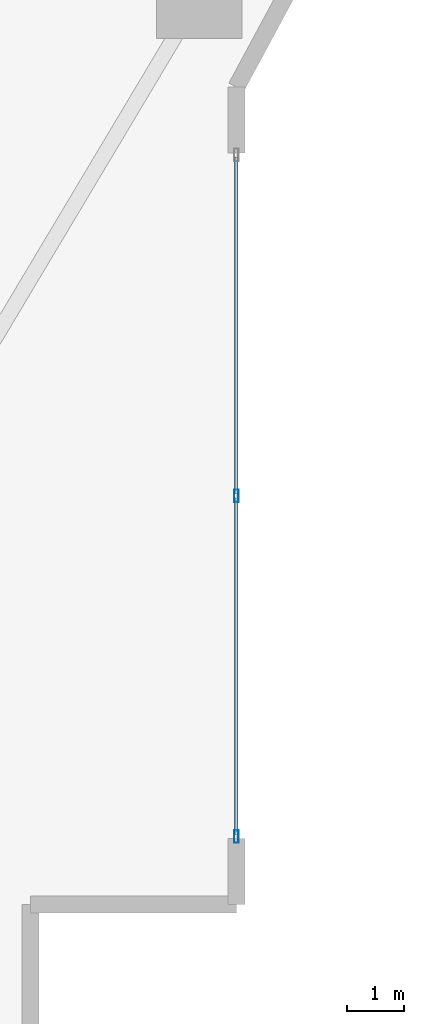
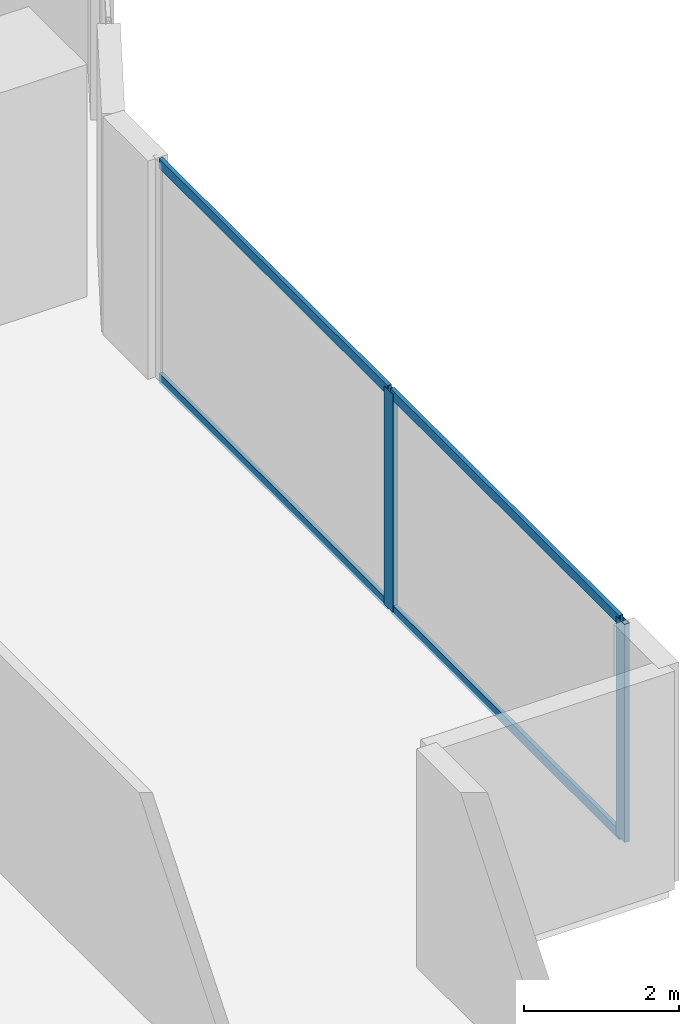
# One storey, part 10 of 28: 6 members, 1 element without a shape of its own.
"""IFC4 building model written with IfcOpenShell, lengths in metres."""

from ifc_helpers import new_model, si_unit, direction, frame, origin, origin_2d, place, context, subcontext, project, spatial, hollow_rectangle, extrude, material, layer, layer_set, material_profile, profile_set, type_object, element, aggregate, save


model = new_model("IFC4")

# Units and contexts
model_context = context("Model", 3, precision=1e-05, world=origin(), true_north=direction((0.0, 1.0)))
body_context = subcontext(model_context, "Body", "Model", "MODEL_VIEW")
ifc_project = project(units=[si_unit("LENGTHUNIT", "METRE"), si_unit("AREAUNIT", "SQUARE_METRE"), si_unit("VOLUMEUNIT", "CUBIC_METRE"), si_unit("PLANEANGLEUNIT", "RADIAN"), si_unit("MASSUNIT", "GRAM", prefix="KILO")], contexts=[model_context])

# Site, building, storey
site_placement = place(None, origin())
site = spatial("IfcSite", under=ifc_project, at=site_placement, CompositionType="ELEMENT")
building_placement = place(site_placement, origin())
building = spatial("IfcBuilding", under=site, at=building_placement, Name="Zuhayl Quay Hotel", CompositionType="ELEMENT")
storey_placement = place(building_placement, frame((0.0, 0.0, 78.699951171875)))
storey = spatial("IfcBuildingStorey", under=building, at=storey_placement, Name="L19", CompositionType="ELEMENT", Elevation=78.699951171875)

# Curtain wall, members
ifc_material_1 = material(Name="Anodised Aluminium 6063-T6", Category="aluminium")
ifc_layer = layer(ifc_material_1, 0.18994140625, Name="Anodised Aluminium 6063-T6", Category="aluminium")
ifc_layer_set = layer_set([ifc_layer], Name="Anodised Aluminium 6063-T6")
curtain_wall_type = type_object("IfcCurtainWallType", Name="CW_SYS_Z1", PredefinedType="USERDEFINED", material=ifc_layer_set)
curtain_wall_placement = place(storey_placement, origin())
curtain_wall = element("IfcCurtainWall", 1, at=curtain_wall_placement, inside=storey, type_object=curtain_wall_type, Name="L19 Curtain Wall ENV_L19_E14_CW1", ObjectType="UNITISED CURTAIN WALL", PredefinedType="USERDEFINED")
ifc_material_2 = material(Name="Black-anodised aluminium 6063-T6", Category="aluminium")
ifc_material_profile_1 = material_profile(ifc_material_2, hollow_rectangle(XDim=0.074951171875, YDim=0.219970703125, WallThickness=0.00390625, at=origin_2d()), Name="ALU220X75")
ifc_profile_set_1 = profile_set([ifc_material_profile_1], Name="Black-anodised aluminium 6063-T6")
member_type_1 = type_object("IfcMemberType", Name="MB_CW_MUL_220", PredefinedType="MULLION", material=ifc_profile_set_1)
member_1_placement = place(storey_placement, frame((25.699951171875, -12.35009765625, 0.0), z_axis=(0.0, 0.0, 1.0), x_axis=(1.0, 0.0, 0.0)))
member_1 = element("IfcMember", 2, at=member_1_placement, type_object=member_type_1, Name="CW-Z1 mullion 2", PredefinedType="MULLION", context=body_context, shape_type="SweptSolid", body=[
    extrude(hollow_rectangle(XDim=0.074951171875, YDim=0.219970703125, WallThickness=0.00390625, at=origin_2d()), origin(), (0.0, 0.0, 1.0), 3.429931640625),
])
member_2_placement = place(storey_placement, frame((25.699951171875, -18.3125, 0.0), z_axis=(0.0, 0.0, 1.0), x_axis=(1.0, 0.0, 0.0)))
member_2 = element("IfcMember", 3, at=member_2_placement, type_object=member_type_1, Name="CW-Z1 mullion 3", PredefinedType="MULLION", context=body_context, shape_type="SweptSolid", body=[
    extrude(hollow_rectangle(XDim=0.074951171875, YDim=0.219970703125, WallThickness=0.00390625, at=origin_2d()), origin(), (0.0, 0.0, 1.0), 3.429931640625),
])
ifc_material_profile_2 = material_profile(ifc_material_2, hollow_rectangle(XDim=0.06005859375, YDim=0.14990234375, WallThickness=0.00341796875, at=origin_2d()), Name="ALU150X60")
ifc_profile_set_2 = profile_set([ifc_material_profile_2], Name="Black-anodised aluminium 6063-T6")
member_type_2 = type_object("IfcMemberType", Name="MB_CW_TRN_150", PredefinedType="USERDEFINED", material=ifc_profile_set_2)
member_3_placement = place(storey_placement, frame((25.699951171875, -6.425048828125, 0.030029296875), z_axis=(0.0, -1.0, 0.0), x_axis=(1.0, 0.0, 0.0)))
member_3 = element("IfcMember", 4, at=member_3_placement, type_object=member_type_2, Name="CW-Z1 transom 1.1", ObjectType="TRANSOM", PredefinedType="USERDEFINED", context=body_context, shape_type="SweptSolid", body=[
    extrude(hollow_rectangle(XDim=0.06005859375, YDim=0.14990234375, WallThickness=0.00341796875, at=origin_2d()), origin(), (0.0, 0.0, 1.0), 5.887451171875),
])
member_4_placement = place(storey_placement, frame((25.699951171875, -6.425048828125, 3.400146484375), z_axis=(0.0, -1.0, 0.0), x_axis=(1.0, 0.0, 0.0)))
member_4 = element("IfcMember", 5, at=member_4_placement, type_object=member_type_2, Name="CW-Z1 transom 1.2", ObjectType="TRANSOM", PredefinedType="USERDEFINED", context=body_context, shape_type="SweptSolid", body=[
    extrude(hollow_rectangle(XDim=0.06005859375, YDim=0.14990234375, WallThickness=0.00341796875, at=origin_2d()), origin(), (0.0, 0.0, 1.0), 5.887451171875),
])
member_5_placement = place(storey_placement, frame((25.699951171875, -12.387451171875, 0.030029296875), z_axis=(0.0, -1.0, 0.0), x_axis=(1.0, 0.0, 0.0)))
member_5 = element("IfcMember", 6, at=member_5_placement, type_object=member_type_2, Name="CW-Z1 transom 2.1", ObjectType="TRANSOM", PredefinedType="USERDEFINED", context=body_context, shape_type="SweptSolid", body=[
    extrude(hollow_rectangle(XDim=0.06005859375, YDim=0.14990234375, WallThickness=0.00341796875, at=origin_2d()), origin(), (0.0, 0.0, 1.0), 5.887451171875),
])
member_6_placement = place(storey_placement, frame((25.699951171875, -12.387451171875, 3.400146484375), z_axis=(0.0, -1.0, 0.0), x_axis=(1.0, 0.0, 0.0)))
member_6 = element("IfcMember", 7, at=member_6_placement, type_object=member_type_2, Name="CW-Z1 transom 2.2", ObjectType="TRANSOM", PredefinedType="USERDEFINED", context=body_context, shape_type="SweptSolid", body=[
    extrude(hollow_rectangle(XDim=0.06005859375, YDim=0.14990234375, WallThickness=0.00341796875, at=origin_2d()), origin(), (0.0, 0.0, 1.0), 5.887451171875),
])
aggregate(curtain_wall, [member_1, member_2, member_3, member_4, member_5, member_6])

save(model, "model.ifc")
